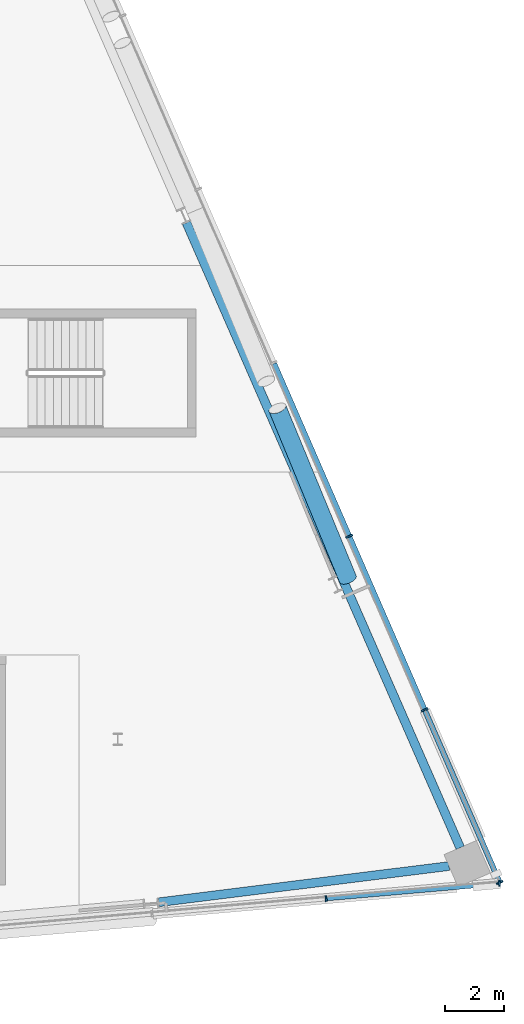
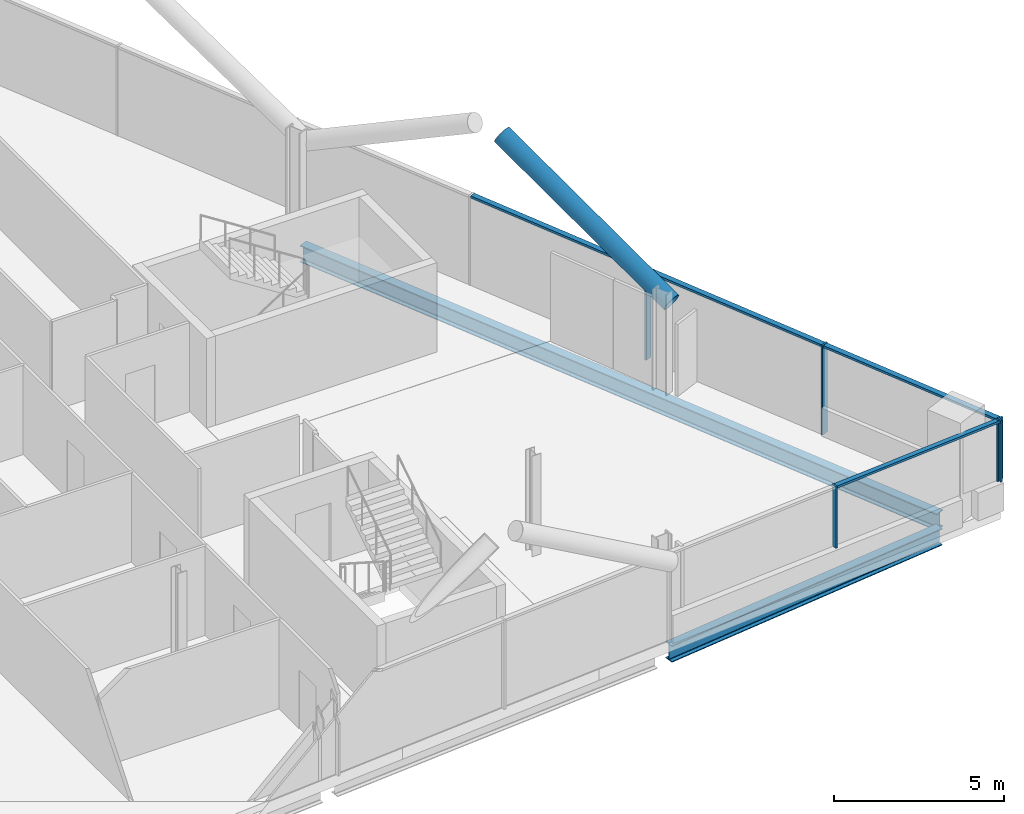
# One storey, part 12 of 25: 10 members, 2 beams, 2 elements without a shape of their own.
"""IFC4 building model written with IfcOpenShell, lengths in metres."""

from ifc_helpers import new_model, si_unit, direction, frame, origin, origin_2d, place, context, subcontext, project, spatial, rectangle, hollow_circle, i_section, extrude, material, material_profile, profile_set, type_object, element, aggregate, save


model = new_model("IFC4")

# Units and contexts
model_context = context("Model", 3, precision=1e-05, world=origin(), true_north=direction((0.0, 1.0)))
body_context = subcontext(model_context, "Body", "Model", "MODEL_VIEW")
ifc_project = project(units=[si_unit("LENGTHUNIT", "METRE"), si_unit("AREAUNIT", "SQUARE_METRE"), si_unit("VOLUMEUNIT", "CUBIC_METRE"), si_unit("PLANEANGLEUNIT", "RADIAN"), si_unit("MASSUNIT", "GRAM", prefix="KILO")], contexts=[model_context])

# Site, building, storey
site_placement = place(None, origin())
site = spatial("IfcSite", under=ifc_project, at=site_placement, CompositionType="ELEMENT")
building_placement = place(site_placement, origin())
building = spatial("IfcBuilding", under=site, at=building_placement, Name="Wharfspan Tower", CompositionType="ELEMENT")
storey_placement = place(building_placement, frame((0.0, 0.0, 225.100098)))
storey = spatial("IfcBuildingStorey", under=building, at=storey_placement, Name="L56", CompositionType="ELEMENT", Elevation=225.100098)

# Beams
ifc_material_1 = material(Name="Steel S355J2", Category="steel")
ifc_material_profile_1 = material_profile(ifc_material_1, i_section(OverallWidth=0.300049, OverallDepth=0.600098, WebThickness=0.015381, FlangeThickness=0.030029, FilletRadius=0.0271, at=origin_2d()))
ifc_profile_set_1 = profile_set([ifc_material_profile_1], Name="Steel S355J2")
beam_type = type_object("IfcBeamType", Name="Edge beam HEB 600", PredefinedType="SPANDREL", material=ifc_profile_set_1)
beam_1_placement = place(storey_placement, frame((73.391602, 5.955322, -0.700195), z_axis=(0.992301, 0.123848, 0.0), x_axis=(-0.123848, 0.992301, 0.0)))
element("IfcBeam", 1, at=beam_1_placement, inside=storey, type_object=beam_type, Name="Edge beam S2 L56 PS2.2 to MC4", PredefinedType="SPANDREL", context=body_context, shape_type="SweptSolid", body=[
    extrude(i_section(OverallWidth=0.300049, OverallDepth=0.600098, WebThickness=0.015381, FlangeThickness=0.030029, FilletRadius=0.0271, at=origin_2d()), origin(), (0.0, 0.0, 1.0), 9.951172),
])
beam_2_placement = place(storey_placement, frame((83.643799, 7.810547, -0.700195), z_axis=(-0.401141, 0.916016, 0.0), x_axis=(-0.916016, -0.401141, 0.0)))
element("IfcBeam", 2, at=beam_2_placement, inside=storey, type_object=beam_type, Name="Edge beam E L56 MC4 to PE.2", PredefinedType="SPANDREL", context=body_context, shape_type="SweptSolid", body=[
    extrude(i_section(OverallWidth=0.300049, OverallDepth=0.600098, WebThickness=0.015381, FlangeThickness=0.030029, FilletRadius=0.0271, at=origin_2d()), origin(), (0.0, 0.0, 1.0), 23.196045),
])

# Curtain wall, members
ifc_material_2 = material(Name="Aluminium 6063-T6", Category="aluminium")
curtain_wall_type_1 = type_object("IfcCurtainWallType", Name="CURTAIN WALL FACETED FRONT", PredefinedType="NOTDEFINED", material=ifc_material_2)
curtain_wall_1_placement = place(storey_placement, origin())
curtain_wall_1 = element("IfcCurtainWall", 3, at=curtain_wall_1_placement, inside=storey, type_object=curtain_wall_type_1, Name="Curtain wall S2", PredefinedType="NOTDEFINED")
ifc_material_profile_2 = material_profile(ifc_material_2, rectangle(XDim=0.199951, YDim=0.060059, at=origin_2d()))
ifc_profile_set_2 = profile_set([ifc_material_profile_2], Name="Aluminium 6063-T6")
member_type_1 = type_object("IfcMemberType", Name="MULLION FACETED FRONT 60x200", PredefinedType="MULLION", material=ifc_profile_set_2)
member_1_placement = place(storey_placement, frame((79.083252, 6.082275, 1.0), z_axis=(0.0, 0.0, 1.0), x_axis=(-0.087156, 0.996197, 0.0)))
member_1 = element("IfcMember", 4, at=member_1_placement, type_object=member_type_1, Name="Curtain wall S2 mullion 6", PredefinedType="MULLION", context=body_context, shape_type="SweptSolid", body=[
    extrude(rectangle(XDim=0.199951, YDim=0.060059, at=origin_2d()), origin(), (0.0, 0.0, 1.0), 2.199951),
])
member_2_placement = place(storey_placement, frame((84.970215, 6.597412, 1.0), z_axis=(0.0, 0.0, 1.0), x_axis=(-0.087156, 0.996197, 0.0)))
member_2 = element("IfcMember", 5, at=member_2_placement, type_object=member_type_1, Name="Curtain wall S2 mullion 7", PredefinedType="MULLION", context=body_context, shape_type="SweptSolid", body=[
    extrude(rectangle(XDim=0.199951, YDim=0.060059, at=origin_2d()), origin(), (0.0, 0.0, 1.0), 2.199951),
])

curtain_wall_type_2 = type_object("IfcCurtainWallType", Name="CURTAIN WALL PROW AND END", PredefinedType="NOTDEFINED", material=ifc_material_2)
curtain_wall_2_placement = place(storey_placement, origin())
curtain_wall_2 = element("IfcCurtainWall", 6, at=curtain_wall_2_placement, inside=storey, type_object=curtain_wall_type_2, Name="Curtain wall E", PredefinedType="NOTDEFINED")
ifc_material_profile_3 = material_profile(ifc_material_2, rectangle(XDim=0.23999, YDim=0.060059, at=origin_2d()))
ifc_profile_set_3 = profile_set([ifc_material_profile_3], Name="Aluminium 6063-T6")
member_type_2 = type_object("IfcMemberType", Name="MULLION PROW AND END 60x240", PredefinedType="MULLION", material=ifc_profile_set_3)
member_3_placement = place(storey_placement, frame((84.988037, 6.627441, 1.0), z_axis=(0.0, 0.0, 1.0), x_axis=(-0.917072, -0.398727, 0.0)))
member_3 = element("IfcMember", 7, at=member_3_placement, type_object=member_type_2, Name="Curtain wall E mullion 1", PredefinedType="MULLION", context=body_context, shape_type="SweptSolid", body=[
    extrude(rectangle(XDim=0.23999, YDim=0.060059, at=origin_2d()), origin(), (0.0, 0.0, 1.0), 2.199951),
])
member_4_placement = place(storey_placement, frame((82.434814, 12.5, 0.0), z_axis=(0.0, 0.0, 1.0), x_axis=(-0.917072, -0.398727, 0.0)))
member_4 = element("IfcMember", 8, at=member_4_placement, type_object=member_type_2, Name="Curtain wall E mullion 2", PredefinedType="MULLION", context=body_context, shape_type="SweptSolid", body=[
    extrude(rectangle(XDim=0.23999, YDim=0.060059, at=origin_2d()), origin(), (0.0, 0.0, 1.0), 3.199951),
])
member_5_placement = place(storey_placement, frame((79.869629, 18.399902, 0.0), z_axis=(0.0, 0.0, 1.0), x_axis=(-0.917072, -0.398727, 0.0)))
member_5 = element("IfcMember", 9, at=member_5_placement, type_object=member_type_2, Name="Curtain wall E mullion 3", PredefinedType="MULLION", context=body_context, shape_type="SweptSolid", body=[
    extrude(rectangle(XDim=0.23999, YDim=0.060059, at=origin_2d()), origin(), (0.0, 0.0, 1.0), 3.199951),
])

# Member
ifc_material_3 = material(Name="Steel S460NH", Category="steel")
ifc_material_profile_4 = material_profile(ifc_material_3, hollow_circle(Radius=0.304932, WallThickness=0.024902, at=origin_2d()))
ifc_profile_set_4 = profile_set([ifc_material_profile_4], Name="Steel S460NH")
member_type_3 = type_object("IfcMemberType", Name="Mega brace CHS 610x25", PredefinedType="BRACE", material=ifc_profile_set_4)
member_6_placement = place(storey_placement, frame((79.826904, 16.943115, 2.899902), z_axis=(-0.337047, 0.816368, 0.46898), x_axis=(-0.924317, -0.381615, 0.0)))
element("IfcMember", 10, at=member_6_placement, inside=storey, type_object=member_type_3, Name="Mega brace E5 L57 part 1", PredefinedType="BRACE", context=body_context, shape_type="SweptSolid", body=[
    extrude(hollow_circle(Radius=0.304932, WallThickness=0.024902, at=origin_2d()), origin(), (0.0, 0.0, 1.0), 7.105957),
])

ifc_material_profile_5 = material_profile(ifc_material_2, rectangle(XDim=0.159912, YDim=0.080078, at=origin_2d()))
ifc_profile_set_5 = profile_set([ifc_material_profile_5], Name="Aluminium 6063-T6")
member_type_4 = type_object("IfcMemberType", Name="TRANSOM FACETED FRONT 80x160", PredefinedType="USERDEFINED", material=ifc_profile_set_5)
member_7_placement = place(storey_placement, frame((79.113281, 6.084961, 3.159912), z_axis=(0.996195, 0.087152, 0.0), x_axis=(-0.087152, 0.996195, 0.0)))
member_7 = element("IfcMember", 11, at=member_7_placement, type_object=member_type_4, Name="Curtain wall S2 transom 6", ObjectType="TRANSOM", PredefinedType="USERDEFINED", context=body_context, shape_type="SweptSolid", body=[
    extrude(rectangle(XDim=0.159912, YDim=0.080078, at=origin_2d()), origin(), (0.0, 0.0, 1.0), 5.849121),
])

aggregate(curtain_wall_1, [member_1, member_2, member_7])

ifc_material_profile_6 = material_profile(ifc_material_2, rectangle(XDim=0.179932, YDim=0.080078, at=origin_2d()))
ifc_profile_set_6 = profile_set([ifc_material_profile_6], Name="Aluminium 6063-T6")
member_type_5 = type_object("IfcMemberType", Name="TRANSOM PROW AND END 80x180", PredefinedType="USERDEFINED", material=ifc_profile_set_6)
member_8_placement = place(storey_placement, frame((84.976074, 6.655029, 3.159912), z_axis=(-0.398726, 0.91707, 0.0), x_axis=(-0.91707, -0.398726, 0.0)))
member_8 = element("IfcMember", 12, at=member_8_placement, type_object=member_type_5, Name="Curtain wall E transom 1", ObjectType="TRANSOM", PredefinedType="USERDEFINED", context=body_context, shape_type="SweptSolid", body=[
    extrude(rectangle(XDim=0.179932, YDim=0.080078, at=origin_2d()), origin(), (0.0, 0.0, 1.0), 6.343506),
])

member_9_placement = place(storey_placement, frame((82.422852, 12.527588, 3.159912), z_axis=(-0.398722, 0.917072, 0.0), x_axis=(-0.917072, -0.398722, 0.0)))
member_9 = element("IfcMember", 13, at=member_9_placement, type_object=member_type_5, Name="Curtain wall E transom 2", ObjectType="TRANSOM", PredefinedType="USERDEFINED", context=body_context, shape_type="SweptSolid", body=[
    extrude(rectangle(XDim=0.179932, YDim=0.080078, at=origin_2d()), origin(), (0.0, 0.0, 1.0), 6.373535),
])

member_10_placement = place(storey_placement, frame((79.857666, 18.42749, 3.159912), z_axis=(-0.398722, 0.917072, 0.0), x_axis=(-0.917072, -0.398722, 0.0)))
member_10 = element("IfcMember", 14, at=member_10_placement, type_object=member_type_5, Name="Curtain wall E transom 3", ObjectType="TRANSOM", PredefinedType="USERDEFINED", context=body_context, shape_type="SweptSolid", body=[
    extrude(rectangle(XDim=0.179932, YDim=0.080078, at=origin_2d()), origin(), (0.0, 0.0, 1.0), 6.373535),
])

aggregate(curtain_wall_2, [member_3, member_4, member_5, member_8, member_9, member_10])

save(model, "model.ifc")
